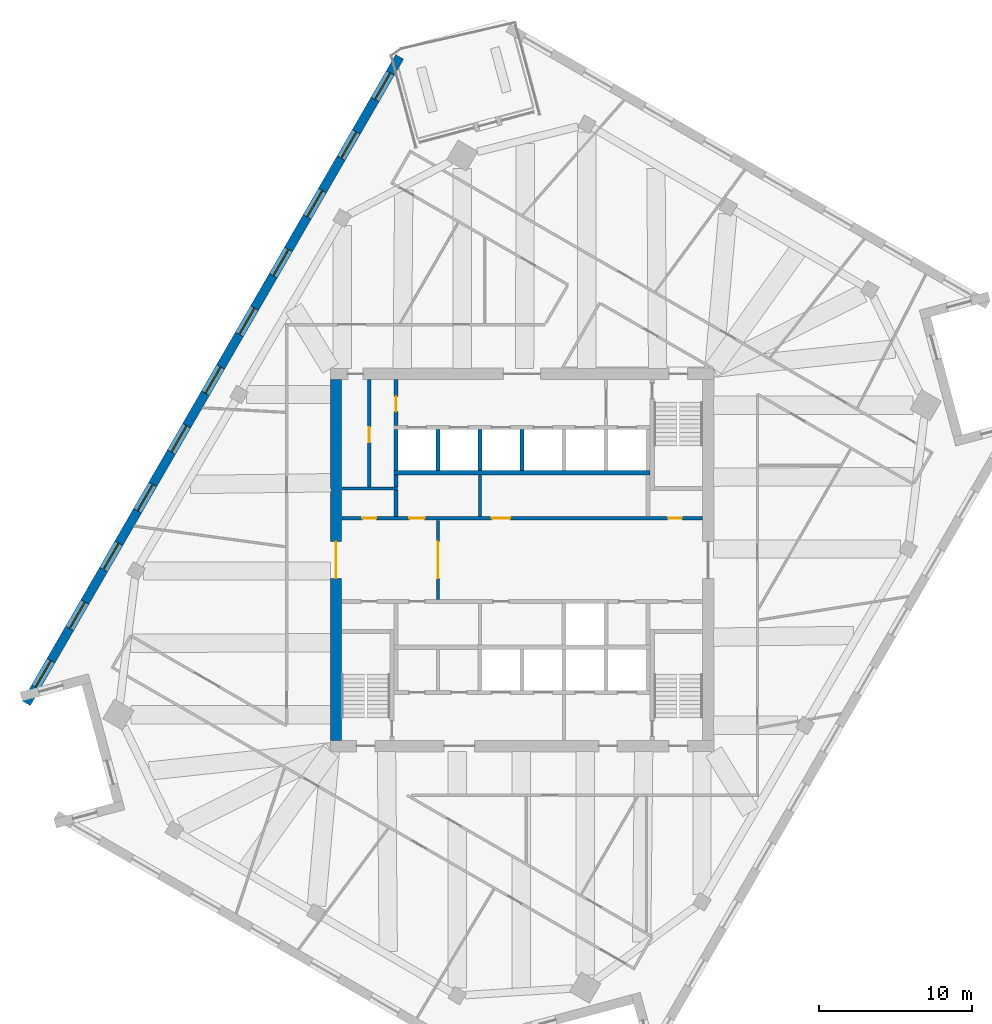
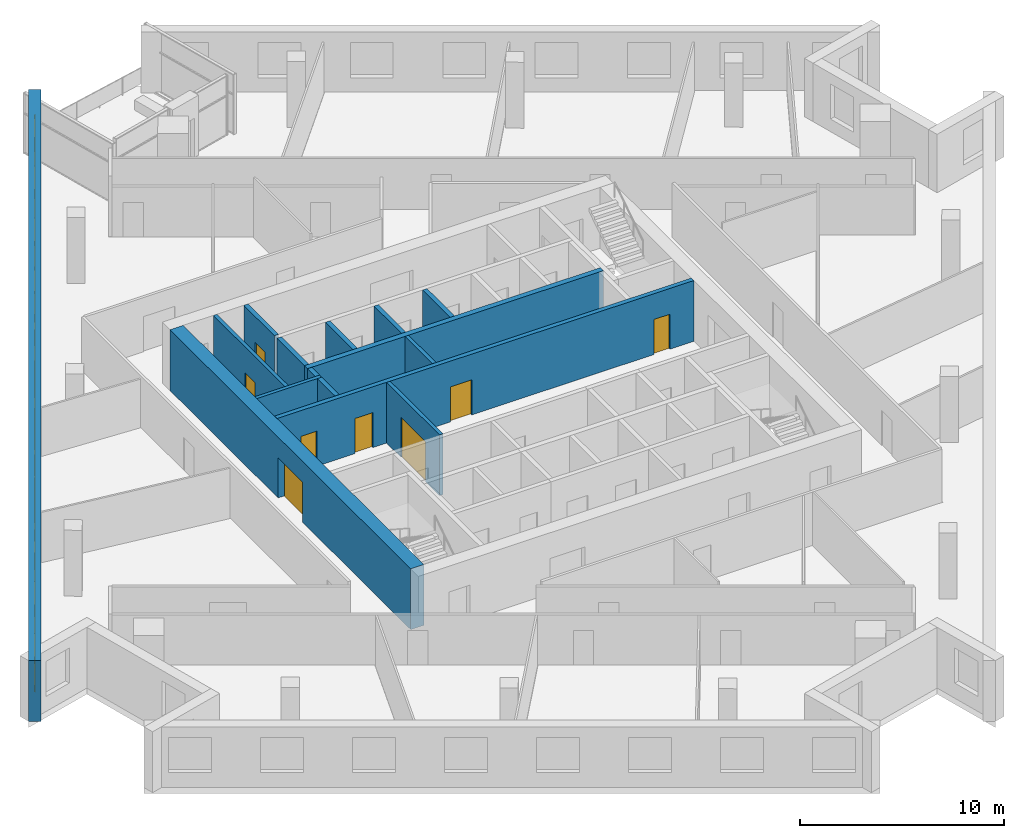
# One storey, part 9 of 13: 15 walls, 11 windows, 8 doors, 19 openings.
"""IFC4 building model written with IfcOpenShell, lengths in metres."""

from ifc_helpers import new_model, si_unit, direction, frame, frame_2d, origin, place, context, subcontext, project, spatial, rectangle, extrude, material, layer, layer_set, type_object, element, fill, save


model = new_model("IFC4")

# Units and contexts
model_context = context("Model", 3, precision=1e-05, world=origin(), true_north=direction((0.0, 1.0)))
body_context = subcontext(model_context, "Body", "Model", "MODEL_VIEW")
ifc_project = project(units=[si_unit("LENGTHUNIT", "METRE"), si_unit("AREAUNIT", "SQUARE_METRE"), si_unit("VOLUMEUNIT", "CUBIC_METRE"), si_unit("PLANEANGLEUNIT", "RADIAN"), si_unit("MASSUNIT", "GRAM", prefix="KILO")], contexts=[model_context])

# Site, building, storey
site_placement = place(None, origin())
site = spatial("IfcSite", under=ifc_project, at=site_placement, CompositionType="ELEMENT")
building_placement = place(site_placement, origin())
building = spatial("IfcBuilding", under=site, at=building_placement, Name="Dilmun Exchange Tower", CompositionType="ELEMENT")
storey_placement = place(building_placement, frame((0.0, 0.0, 262.89990234375)))
storey = spatial("IfcBuildingStorey", under=building, at=storey_placement, Name="L62", CompositionType="ELEMENT", Elevation=262.89990234375)

# Wall, opening, door
ifc_material_1 = material(Name="Concrete C40/50", Category="concrete")
ifc_layer_1 = layer(ifc_material_1, 0.199951171875)
ifc_layer_set_1 = layer_set([ifc_layer_1], Name="Concrete C40/50")
wall_type_1 = type_object("IfcWallType", Name="Core partition wall 200", PredefinedType="PARTITIONING", material=ifc_layer_set_1)
wall_1_placement = place(storey_placement, frame((-5.5, -2.594970703125, 0.0), z_axis=(0.0, 0.0, 1.0), x_axis=(0.0, 1.0, 0.0)))
wall_1 = element("IfcWall", 1, at=wall_1_placement, inside=storey, type_object=wall_type_1, Name="L62 core partition wall 11", PredefinedType="PARTITIONING", context=body_context, shape_type="SweptSolid", body=[
    extrude(rectangle(XDim=5.18994140625, YDim=0.199951171875, at=frame_2d((2.594970703125, 0.0))), origin(), (0.0, 0.0, 1.0), 3.64013671875),
])
opening_1_placement = place(wall_1_placement, frame((1.39501953125, 0.0, 0.0)))
opening_1 = element("IfcOpeningElement", 2, at=opening_1_placement, cuts=wall_1, Name="Opening CD1", PredefinedType="OPENING", context=body_context, shape_type="SweptSolid", body=[
    extrude(rectangle(XDim=2.39990234375, YDim=2.39990234375, at=frame_2d((1.199951171875, 1.199951171875))), frame((0.0, 0.10986328125, 0.0), z_axis=(0.0, -1.0, 0.0), x_axis=(1.0, 0.0, 0.0)), (0.0, 0.0, 1.0), 0.219970703125),
])
ifc_material_2 = material(Name="Fire-rated steel door set", Category="steel")
door_type_1 = type_object("IfcDoorType", Name="Core lobby door 2400x2400", OperationType="DOUBLE_DOOR_DOUBLE_SWING", PredefinedType="DOOR", material=ifc_material_2)
door_1_placement = place(opening_1_placement, origin())
door_1 = element("IfcDoor", 3, at=door_1_placement, inside=storey, type_object=door_type_1, Name="L62 door Lift lobby east", OperationType="SINGLE_SWING_LEFT", OverallHeight=2.39990234375, OverallWidth=2.39990234375, PredefinedType="DOOR", context=body_context, shape_type="SweptSolid", body=[
    extrude(rectangle(XDim=2.39990234375, YDim=2.39990234375, at=frame_2d((1.199951171875, 1.199951171875))), frame((0.0, 0.02490234375, 0.0), z_axis=(0.0, -1.0, 0.0), x_axis=(1.0, 0.0, 0.0)), (0.0, 0.0, 1.0), 0.050048828125),
])
fill(opening_1, door_1)

# Walls
wall_2_placement = place(storey_placement, frame((-2.75, 2.85498046875, 0.0), z_axis=(0.0, 0.0, 1.0), x_axis=(0.0, 1.0, 0.0)))
element("IfcWall", 4, at=wall_2_placement, inside=storey, type_object=wall_type_1, Name="L62 core partition wall 14", PredefinedType="PARTITIONING", context=body_context, shape_type="SweptSolid", body=[
    extrude(rectangle(XDim=2.68994140625, YDim=0.199951171875, at=frame_2d((1.344970703125, 0.0))), origin(), (0.0, 0.0, 1.0), 3.64013671875),
])
wall_3_placement = place(storey_placement, frame((-11.794921875, 4.675048828125, 0.0), z_axis=(0.0, 0.0, 1.0), x_axis=(1.0, 0.0, 0.0)))
element("IfcWall", 5, at=wall_3_placement, inside=storey, type_object=wall_type_1, Name="L62 core partition wall 16", PredefinedType="PARTITIONING", context=body_context, shape_type="SweptSolid", body=[
    extrude(rectangle(XDim=3.64501953125, YDim=0.199951171875, at=frame_2d((1.822509765625, 0.0))), origin(), (0.0, 0.0, 1.0), 3.64013671875),
])

# Wall, opening, door
wall_4_placement = place(storey_placement, frame((-10.0, 4.780029296875, 0.0), z_axis=(0.0, 0.0, 1.0), x_axis=(0.0, 1.0, 0.0)))
wall_4 = element("IfcWall", 6, at=wall_4_placement, inside=storey, type_object=wall_type_1, Name="L62 core partition wall 17", PredefinedType="PARTITIONING", context=body_context, shape_type="SweptSolid", body=[
    extrude(rectangle(XDim=7.014892578125, YDim=0.199951171875, at=frame_2d((3.50732421875, 0.0))), origin(), (0.0, 0.0, 1.0), 3.64013671875),
])
opening_2_placement = place(wall_4_placement, frame((2.919921875, 0.0, 0.0)))
opening_2 = element("IfcOpeningElement", 7, at=opening_2_placement, cuts=wall_4, Name="Opening CD4", PredefinedType="OPENING", context=body_context, shape_type="SweptSolid", body=[
    extrude(rectangle(XDim=1.0, YDim=2.10009765625, at=frame_2d((0.5, 1.050048828125))), frame((0.0, 0.10986328125, 0.0), z_axis=(0.0, -1.0, 0.0), x_axis=(1.0, 0.0, 0.0)), (0.0, 0.0, 1.0), 0.219970703125),
])
door_type_2 = type_object("IfcDoorType", Name="Core room door 1000x2100", OperationType="SINGLE_SWING_LEFT", PredefinedType="DOOR", material=ifc_material_2)
door_2_placement = place(opening_2_placement, origin())
door_2 = element("IfcDoor", 8, at=door_2_placement, inside=storey, type_object=door_type_2, Name="L62 door Comms room", OperationType="SINGLE_SWING_LEFT", OverallHeight=2.10009765625, OverallWidth=1.0, PredefinedType="DOOR", context=body_context, shape_type="SweptSolid", body=[
    extrude(rectangle(XDim=1.0, YDim=2.10009765625, at=frame_2d((0.5, 1.050048828125))), frame((0.0, 0.02490234375, 0.0), z_axis=(0.0, -1.0, 0.0), x_axis=(1.0, 0.0, 0.0)), (0.0, 0.0, 1.0), 0.050048828125),
])
fill(opening_2, door_2)

# Wall, openings, doors
ifc_layer_2 = layer(ifc_material_1, 0.25)
ifc_layer_set_2 = layer_set([ifc_layer_2], Name="Concrete C40/50")
wall_type_2 = type_object("IfcWallType", Name="Core partition wall 250", PredefinedType="PARTITIONING", material=ifc_layer_set_2)
wall_5_placement = place(storey_placement, frame((-11.794921875, 2.72509765625, 0.0), z_axis=(0.0, 0.0, 1.0), x_axis=(1.0, 0.0, 0.0)))
wall_5 = element("IfcWall", 9, at=wall_5_placement, inside=storey, type_object=wall_type_2, Name="L62 core partition wall 12", PredefinedType="PARTITIONING", context=body_context, shape_type="SweptSolid", body=[
    extrude(rectangle(XDim=23.58984375, YDim=0.25, at=frame_2d((11.794921875, 0.0))), origin(), (0.0, 0.0, 1.0), 3.64013671875),
])
opening_3_placement = place(wall_5_placement, frame((21.344970703125, 0.0, 0.0)))
opening_3 = element("IfcOpeningElement", 10, at=opening_3_placement, cuts=wall_5, Name="Opening CD6", PredefinedType="OPENING", context=body_context, shape_type="SweptSolid", body=[
    extrude(rectangle(XDim=0.89990234375, YDim=2.10009765625, at=frame_2d((0.449951171875, 1.050048828125))), frame((0.0, 0.135009765625, 0.0), z_axis=(0.0, -1.0, 0.0), x_axis=(1.0, 0.0, 0.0)), (0.0, 0.0, 1.0), 0.27001953125),
])
opening_4_placement = place(wall_5_placement, frame((1.344970703125, 0.0, 0.0)))
opening_4 = element("IfcOpeningElement", 11, at=opening_4_placement, cuts=wall_5, Name="Opening CD6", PredefinedType="OPENING", context=body_context, shape_type="SweptSolid", body=[
    extrude(rectangle(XDim=0.89990234375, YDim=2.10009765625, at=frame_2d((0.449951171875, 1.050048828125))), frame((0.0, 0.135009765625, 0.0), z_axis=(0.0, -1.0, 0.0), x_axis=(1.0, 0.0, 0.0)), (0.0, 0.0, 1.0), 0.27001953125),
])
opening_5_placement = place(wall_5_placement, frame((4.419921875, 0.0, 0.0)))
opening_5 = element("IfcOpeningElement", 12, at=opening_5_placement, cuts=wall_5, Name="Opening CD4", PredefinedType="OPENING", context=body_context, shape_type="SweptSolid", body=[
    extrude(rectangle(XDim=1.0, YDim=2.10009765625, at=frame_2d((0.5, 1.050048828125))), frame((0.0, 0.135009765625, 0.0), z_axis=(0.0, -1.0, 0.0), x_axis=(1.0, 0.0, 0.0)), (0.0, 0.0, 1.0), 0.27001953125),
])
opening_6_placement = place(wall_5_placement, frame((9.820068359375, 0.0, 0.0)))
opening_6 = element("IfcOpeningElement", 13, at=opening_6_placement, cuts=wall_5, Name="Opening CD3", PredefinedType="OPENING", context=body_context, shape_type="SweptSolid", body=[
    extrude(rectangle(XDim=1.199951171875, YDim=2.10009765625, at=frame_2d((0.60009765625, 1.050048828125))), frame((0.0, 0.135009765625, 0.0), z_axis=(0.0, -1.0, 0.0), x_axis=(1.0, 0.0, 0.0)), (0.0, 0.0, 1.0), 0.27001953125),
])
door_3_placement = place(opening_5_placement, origin())
door_3 = element("IfcDoor", 14, at=door_3_placement, inside=storey, type_object=door_type_2, Name="L62 door Print and mail room", OperationType="SINGLE_SWING_LEFT", OverallHeight=2.10009765625, OverallWidth=1.0, PredefinedType="DOOR", context=body_context, shape_type="SweptSolid", body=[
    extrude(rectangle(XDim=1.0, YDim=2.10009765625, at=frame_2d((0.5, 1.050048828125))), frame((0.0, 0.02490234375, 0.0), z_axis=(0.0, -1.0, 0.0), x_axis=(1.0, 0.0, 0.0)), (0.0, 0.0, 1.0), 0.050048828125),
])
fill(opening_5, door_3)
door_type_3 = type_object("IfcDoorType", Name="Core room door 900x2100", OperationType="SINGLE_SWING_LEFT", PredefinedType="DOOR", material=ifc_material_2)
door_4_placement = place(opening_3_placement, origin())
door_4 = element("IfcDoor", 15, at=door_4_placement, inside=storey, type_object=door_type_3, Name="L62 door Electrical riser", OperationType="SINGLE_SWING_LEFT", OverallHeight=2.10009765625, OverallWidth=0.89990234375, PredefinedType="DOOR", context=body_context, shape_type="SweptSolid", body=[
    extrude(rectangle(XDim=0.89990234375, YDim=2.10009765625, at=frame_2d((0.449951171875, 1.050048828125))), frame((0.0, 0.02490234375, 0.0), z_axis=(0.0, -1.0, 0.0), x_axis=(1.0, 0.0, 0.0)), (0.0, 0.0, 1.0), 0.050048828125),
])
fill(opening_3, door_4)
door_5_placement = place(opening_4_placement, origin())
door_5 = element("IfcDoor", 16, at=door_5_placement, inside=storey, type_object=door_type_3, Name="L62 door Plumbing riser", OperationType="SINGLE_SWING_LEFT", OverallHeight=2.10009765625, OverallWidth=0.89990234375, PredefinedType="DOOR", context=body_context, shape_type="SweptSolid", body=[
    extrude(rectangle(XDim=0.89990234375, YDim=2.10009765625, at=frame_2d((0.449951171875, 1.050048828125))), frame((0.0, 0.02490234375, 0.0), z_axis=(0.0, -1.0, 0.0), x_axis=(1.0, 0.0, 0.0)), (0.0, 0.0, 1.0), 0.050048828125),
])
fill(opening_4, door_5)
door_type_4 = type_object("IfcDoorType", Name="Stair exit door 1200x2100", OperationType="SINGLE_SWING_LEFT", PredefinedType="DOOR", material=ifc_material_2)
door_6_placement = place(opening_6_placement, origin())
door_6 = element("IfcDoor", 17, at=door_6_placement, inside=storey, type_object=door_type_4, Name="L62 door Building management office", OperationType="SINGLE_SWING_LEFT", OverallHeight=2.10009765625, OverallWidth=1.199951171875, PredefinedType="DOOR", context=body_context, shape_type="SweptSolid", body=[
    extrude(rectangle(XDim=1.199951171875, YDim=2.10009765625, at=frame_2d((0.60009765625, 1.050048828125))), frame((0.0, 0.02490234375, 0.0), z_axis=(0.0, -1.0, 0.0), x_axis=(1.0, 0.0, 0.0)), (0.0, 0.0, 1.0), 0.050048828125),
])
fill(opening_6, door_6)

# Walls
wall_6_placement = place(storey_placement, frame((-8.25, 2.85498046875, 0.0), z_axis=(0.0, 0.0, 1.0), x_axis=(0.0, 1.0, 0.0)))
element("IfcWall", 18, at=wall_6_placement, inside=storey, type_object=wall_type_2, Name="L62 core partition wall 13", PredefinedType="PARTITIONING", context=body_context, shape_type="SweptSolid", body=[
    extrude(rectangle(XDim=1.715087890625, YDim=0.25, at=frame_2d((0.857421875, 0.0))), origin(), (0.0, 0.0, 1.0), 3.64013671875),
])
wall_7_placement = place(storey_placement, frame((-8.25, 4.780029296875, 0.0), z_axis=(0.0, 0.0, 1.0), x_axis=(0.0, 1.0, 0.0)))
element("IfcWall", 19, at=wall_7_placement, inside=storey, type_object=wall_type_2, Name="L62 core partition wall 18", PredefinedType="PARTITIONING", context=body_context, shape_type="SweptSolid", body=[
    extrude(rectangle(XDim=0.764892578125, YDim=0.25, at=frame_2d((0.38232421875, 0.0))), origin(), (0.0, 0.0, 1.0), 3.64013671875),
])

# Wall, opening, door
wall_8_placement = place(storey_placement, frame((-8.25, 8.804931640625, 0.0), z_axis=(0.0, 0.0, 1.0), x_axis=(0.0, 1.0, 0.0)))
wall_8 = element("IfcWall", 20, at=wall_8_placement, inside=storey, type_object=wall_type_2, Name="L62 core partition wall 19", PredefinedType="PARTITIONING", context=body_context, shape_type="SweptSolid", body=[
    extrude(rectangle(XDim=2.989990234375, YDim=0.25, at=frame_2d((1.4951171875, 0.0))), origin(), (0.0, 0.0, 1.0), 3.64013671875),
])
opening_7_placement = place(wall_8_placement, frame((0.89501953125, 0.0, 0.0)))
opening_7 = element("IfcOpeningElement", 21, at=opening_7_placement, cuts=wall_8, Name="Opening CD4", PredefinedType="OPENING", context=body_context, shape_type="SweptSolid", body=[
    extrude(rectangle(XDim=1.0, YDim=2.10009765625, at=frame_2d((0.5, 1.050048828125))), frame((0.0, 0.135009765625, 0.0), z_axis=(0.0, -1.0, 0.0), x_axis=(1.0, 0.0, 0.0)), (0.0, 0.0, 1.0), 0.27001953125),
])
door_7_placement = place(opening_7_placement, origin())
door_7 = element("IfcDoor", 22, at=door_7_placement, inside=storey, type_object=door_type_2, Name="L62 door Security room", OperationType="SINGLE_SWING_LEFT", OverallHeight=2.10009765625, OverallWidth=1.0, PredefinedType="DOOR", context=body_context, shape_type="SweptSolid", body=[
    extrude(rectangle(XDim=1.0, YDim=2.10009765625, at=frame_2d((0.5, 1.050048828125))), frame((0.0, 0.02490234375, 0.0), z_axis=(0.0, -1.0, 0.0), x_axis=(1.0, 0.0, 0.0)), (0.0, 0.0, 1.0), 0.050048828125),
])
fill(opening_7, door_7)

ifc_material_3 = material(Name="Concrete C50/60", Category="concrete")
ifc_layer_3 = layer(ifc_material_3, 0.75)
ifc_layer_set_3 = layer_set([ifc_layer_3], Name="Concrete C50/60")
wall_type_3 = type_object("IfcWallType", Name="Core shear wall 750 Concrete C50/60", PredefinedType="SHEAR", material=ifc_layer_set_3)
wall_9_placement = place(storey_placement, frame((-12.175048828125, -11.800048828125, 0.0), z_axis=(0.0, 0.0, 1.0), x_axis=(0.0, 1.0, 0.0)))
wall_9 = element("IfcWall", 23, at=wall_9_placement, inside=storey, type_object=wall_type_3, Name="L62 core shear wall W", PredefinedType="SHEAR", context=body_context, shape_type="SweptSolid", body=[
    extrude(rectangle(XDim=23.60009765625, YDim=0.75, at=frame_2d((11.800048828125, 0.0))), origin(), (0.0, 0.0, 1.0), 3.64013671875),
])
opening_8_placement = place(wall_9_placement, frame((10.60009765625, 0.0, 0.0)))
opening_8 = element("IfcOpeningElement", 24, at=opening_8_placement, cuts=wall_9, Name="Opening CD1", PredefinedType="OPENING", context=body_context, shape_type="SweptSolid", body=[
    extrude(rectangle(XDim=2.39990234375, YDim=2.39990234375, at=frame_2d((1.199951171875, 1.199951171875))), frame((0.0, 0.385009765625, 0.0), z_axis=(0.0, -1.0, 0.0), x_axis=(1.0, 0.0, 0.0)), (0.0, 0.0, 1.0), 0.77001953125),
])
door_8_placement = place(opening_8_placement, origin())
door_8 = element("IfcDoor", 25, at=door_8_placement, inside=storey, type_object=door_type_1, Name="L62 door Central lift lobby", OperationType="SINGLE_SWING_LEFT", OverallHeight=2.39990234375, OverallWidth=2.39990234375, PredefinedType="DOOR", context=body_context, shape_type="SweptSolid", body=[
    extrude(rectangle(XDim=2.39990234375, YDim=2.39990234375, at=frame_2d((1.199951171875, 1.199951171875))), frame((0.0, 0.02490234375, 0.0), z_axis=(0.0, -1.0, 0.0), x_axis=(1.0, 0.0, 0.0)), (0.0, 0.0, 1.0), 0.050048828125),
])
fill(opening_8, door_8)

# Walls
ifc_layer_4 = layer(ifc_material_1, 0.300048828125)
ifc_layer_set_4 = layer_set([ifc_layer_4], Name="Concrete C40/50")
wall_type_4 = type_object("IfcWallType", Name="Lift shaft shared wall 300", PredefinedType="SOLIDWALL", material=ifc_layer_set_4)
wall_10_placement = place(storey_placement, frame((-8.375, 5.699951171875, 0.0), z_axis=(0.0, 0.0, 1.0), x_axis=(1.0, 0.0, 0.0)))
element("IfcWall", 26, at=wall_10_placement, inside=storey, type_object=wall_type_4, Name="L62 lift shaft rear wall N", PredefinedType="SOLIDWALL", context=body_context, shape_type="SweptSolid", body=[
    extrude(rectangle(XDim=16.75, YDim=0.300048828125, at=frame_2d((8.375, 0.0))), origin(), (0.0, 0.0, 1.0), 3.64013671875),
])
ifc_layer_5 = layer(ifc_material_1, 0.25)
ifc_layer_set_5 = layer_set([ifc_layer_5], Name="Concrete C40/50")
wall_type_5 = type_object("IfcWallType", Name="Lift shaft wall 250", PredefinedType="SOLIDWALL", material=ifc_layer_set_5)
for number, where, z_axis, x_axis, name in (
    (27, (-8.25, 5.85009765625, 0.0), (0.0, 0.0, 1.0), (0.0, 1.0, 0.0), "L62 lift shaft divider N20"),
    (28, (-5.5, 5.85009765625, 0.0), (0.0, 0.0, 1.0), (0.0, 1.0, 0.0), "L62 lift shaft divider N21"),
    (29, (-2.75, 5.85009765625, 0.0), (0.0, 0.0, 1.0), (0.0, 1.0, 0.0), "L62 lift shaft divider N22"),
    (30, (0.0, 5.85009765625, 0.0), (0.0, 0.0, 1.0), (0.0, 1.0, 0.0), "L62 lift shaft divider N23"),
):
    element("IfcWall", number, at=place(storey_placement, frame(where, z_axis=z_axis, x_axis=x_axis)), inside=storey, type_object=wall_type_5, Name=name, PredefinedType="SOLIDWALL", context=body_context, shape_type="SweptSolid", body=[
        extrude(rectangle(XDim=2.699951171875, YDim=0.25, at=frame_2d((1.35009765625, 0.0))), origin(), (0.0, 0.0, 1.0), 3.64013671875),
    ])

# Wall, openings, windows
ifc_material_4 = material(Name="Precast concrete C50/60", Category="concrete")
ifc_layer_6 = layer(ifc_material_4, 0.60009765625)
ifc_layer_set_6 = layer_set([ifc_layer_6], Name="Precast concrete C50/60")
wall_type_6 = type_object("IfcWallType", Name="Precast stone-clad wall 600", PredefinedType="STANDARD", material=ifc_layer_set_6)
wall_11_placement = place(storey_placement, frame((-8.014892578125, 32.91748046875, 0.0), z_axis=(0.0, 0.0, 1.0), x_axis=(-0.500001675963, -0.866024436165, 0.0)))
wall_11 = element("IfcWall", 31, at=wall_11_placement, inside=storey, type_object=wall_type_6, Name="Facade wall L62-03", PredefinedType="STANDARD", context=body_context, shape_type="SweptSolid", body=[
    extrude(rectangle(XDim=48.843017578125, YDim=0.60009765625, at=frame_2d((24.42138671875, 0.0))), origin(), (0.0, 0.0, 1.0), 3.64013671875),
])
opening_9_placement = place(wall_11_placement, frame((1.22021484375, 0.0, 0.89990234375)))
opening_9 = element("IfcOpeningElement", 32, at=opening_9_placement, cuts=wall_11, Name="Opening W200-210", PredefinedType="OPENING", context=body_context, shape_type="SweptSolid", body=[
    extrude(rectangle(XDim=2.0, YDim=2.10009765625, at=frame_2d((1.0, 1.050048828125))), frame((0.0, 0.31005859375, 0.0), z_axis=(0.0, -1.0, 0.0), x_axis=(1.0, 0.0, 0.0)), (0.0, 0.0, 1.0), 0.6201171875),
])
opening_10_placement = place(wall_11_placement, frame((5.660400390625, 0.0, 0.89990234375)))
opening_10 = element("IfcOpeningElement", 33, at=opening_10_placement, cuts=wall_11, Name="Opening W200-210", PredefinedType="OPENING", context=body_context, shape_type="SweptSolid", body=[
    extrude(rectangle(XDim=2.0, YDim=2.10009765625, at=frame_2d((1.0, 1.050048828125))), frame((0.0, 0.31005859375, 0.0), z_axis=(0.0, -1.0, 0.0), x_axis=(1.0, 0.0, 0.0)), (0.0, 0.0, 1.0), 0.6201171875),
])
opening_11_placement = place(wall_11_placement, frame((10.1005859375, 0.0, 0.89990234375)))
opening_11 = element("IfcOpeningElement", 34, at=opening_11_placement, cuts=wall_11, Name="Opening W200-210", PredefinedType="OPENING", context=body_context, shape_type="SweptSolid", body=[
    extrude(rectangle(XDim=2.0, YDim=2.10009765625, at=frame_2d((1.0, 1.050048828125))), frame((0.0, 0.31005859375, 0.0), z_axis=(0.0, -1.0, 0.0), x_axis=(1.0, 0.0, 0.0)), (0.0, 0.0, 1.0), 0.6201171875),
])
opening_12_placement = place(wall_11_placement, frame((14.541015625, 0.0, 0.89990234375)))
opening_12 = element("IfcOpeningElement", 35, at=opening_12_placement, cuts=wall_11, Name="Opening W200-210", PredefinedType="OPENING", context=body_context, shape_type="SweptSolid", body=[
    extrude(rectangle(XDim=2.0, YDim=2.10009765625, at=frame_2d((1.0, 1.050048828125))), frame((0.0, 0.31005859375, 0.0), z_axis=(0.0, -1.0, 0.0), x_axis=(1.0, 0.0, 0.0)), (0.0, 0.0, 1.0), 0.6201171875),
])
opening_13_placement = place(wall_11_placement, frame((18.981201171875, 0.0, 0.89990234375)))
opening_13 = element("IfcOpeningElement", 36, at=opening_13_placement, cuts=wall_11, Name="Opening W200-210", PredefinedType="OPENING", context=body_context, shape_type="SweptSolid", body=[
    extrude(rectangle(XDim=2.0, YDim=2.10009765625, at=frame_2d((1.0, 1.050048828125))), frame((0.0, 0.31005859375, 0.0), z_axis=(0.0, -1.0, 0.0), x_axis=(1.0, 0.0, 0.0)), (0.0, 0.0, 1.0), 0.6201171875),
])
opening_14_placement = place(wall_11_placement, frame((23.421630859375, 0.0, 0.89990234375)))
opening_14 = element("IfcOpeningElement", 37, at=opening_14_placement, cuts=wall_11, Name="Opening W200-210", PredefinedType="OPENING", context=body_context, shape_type="SweptSolid", body=[
    extrude(rectangle(XDim=2.0, YDim=2.10009765625, at=frame_2d((1.0, 1.050048828125))), frame((0.0, 0.31005859375, 0.0), z_axis=(0.0, -1.0, 0.0), x_axis=(1.0, 0.0, 0.0)), (0.0, 0.0, 1.0), 0.6201171875),
])
opening_15_placement = place(wall_11_placement, frame((27.86181640625, 0.0, 0.89990234375)))
opening_15 = element("IfcOpeningElement", 38, at=opening_15_placement, cuts=wall_11, Name="Opening W200-210", PredefinedType="OPENING", context=body_context, shape_type="SweptSolid", body=[
    extrude(rectangle(XDim=2.0, YDim=2.10009765625, at=frame_2d((1.0, 1.050048828125))), frame((0.0, 0.31005859375, 0.0), z_axis=(0.0, -1.0, 0.0), x_axis=(1.0, 0.0, 0.0)), (0.0, 0.0, 1.0), 0.6201171875),
])
opening_16_placement = place(wall_11_placement, frame((32.302001953125, 0.0, 0.89990234375)))
opening_16 = element("IfcOpeningElement", 39, at=opening_16_placement, cuts=wall_11, Name="Opening W200-210", PredefinedType="OPENING", context=body_context, shape_type="SweptSolid", body=[
    extrude(rectangle(XDim=2.0, YDim=2.10009765625, at=frame_2d((1.0, 1.050048828125))), frame((0.0, 0.31005859375, 0.0), z_axis=(0.0, -1.0, 0.0), x_axis=(1.0, 0.0, 0.0)), (0.0, 0.0, 1.0), 0.6201171875),
])
opening_17_placement = place(wall_11_placement, frame((36.742431640625, 0.0, 0.89990234375)))
opening_17 = element("IfcOpeningElement", 40, at=opening_17_placement, cuts=wall_11, Name="Opening W200-210", PredefinedType="OPENING", context=body_context, shape_type="SweptSolid", body=[
    extrude(rectangle(XDim=2.0, YDim=2.10009765625, at=frame_2d((1.0, 1.050048828125))), frame((0.0, 0.31005859375, 0.0), z_axis=(0.0, -1.0, 0.0), x_axis=(1.0, 0.0, 0.0)), (0.0, 0.0, 1.0), 0.6201171875),
])
opening_18_placement = place(wall_11_placement, frame((41.1826171875, 0.0, 0.89990234375)))
opening_18 = element("IfcOpeningElement", 41, at=opening_18_placement, cuts=wall_11, Name="Opening W200-210", PredefinedType="OPENING", context=body_context, shape_type="SweptSolid", body=[
    extrude(rectangle(XDim=2.0, YDim=2.10009765625, at=frame_2d((1.0, 1.050048828125))), frame((0.0, 0.31005859375, 0.0), z_axis=(0.0, -1.0, 0.0), x_axis=(1.0, 0.0, 0.0)), (0.0, 0.0, 1.0), 0.6201171875),
])
opening_19_placement = place(wall_11_placement, frame((45.623046875, 0.0, 0.89990234375)))
opening_19 = element("IfcOpeningElement", 42, at=opening_19_placement, cuts=wall_11, Name="Opening W200-210", PredefinedType="OPENING", context=body_context, shape_type="SweptSolid", body=[
    extrude(rectangle(XDim=2.0, YDim=2.10009765625, at=frame_2d((1.0, 1.050048828125))), frame((0.0, 0.31005859375, 0.0), z_axis=(0.0, -1.0, 0.0), x_axis=(1.0, 0.0, 0.0)), (0.0, 0.0, 1.0), 0.6201171875),
])
ifc_material_5 = material(Name="Clear low-emissivity glass in aluminium frame", Category="aluminium")
window_type = type_object("IfcWindowType", Name="Punched window 2000 x 2100", PartitioningType="DOUBLE_PANEL_VERTICAL", PredefinedType="WINDOW", material=ifc_material_5)
window_1_placement = place(opening_9_placement, origin())
window_1 = element("IfcWindow", 43, at=window_1_placement, inside=storey, type_object=window_type, Name="Window 4.1", OverallHeight=2.10009765625, OverallWidth=2.0, PartitioningType="SINGLE_PANEL", PredefinedType="WINDOW", context=body_context, shape_type="SweptSolid", body=[
    extrude(rectangle(XDim=2.0, YDim=2.10009765625, at=frame_2d((1.0, 1.050048828125))), frame((0.0, 0.030029296875, 0.0), z_axis=(0.0, -1.0, 0.0), x_axis=(1.0, 0.0, 0.0)), (0.0, 0.0, 1.0), 0.06005859375),
])
fill(opening_9, window_1)
window_2_placement = place(opening_10_placement, origin())
window_2 = element("IfcWindow", 44, at=window_2_placement, inside=storey, type_object=window_type, Name="Window 4.2", OverallHeight=2.10009765625, OverallWidth=2.0, PartitioningType="SINGLE_PANEL", PredefinedType="WINDOW", context=body_context, shape_type="SweptSolid", body=[
    extrude(rectangle(XDim=2.0, YDim=2.10009765625, at=frame_2d((1.0, 1.050048828125))), frame((0.0, 0.030029296875, 0.0), z_axis=(0.0, -1.0, 0.0), x_axis=(1.0, 0.0, 0.0)), (0.0, 0.0, 1.0), 0.06005859375),
])
fill(opening_10, window_2)
window_3_placement = place(opening_11_placement, origin())
window_3 = element("IfcWindow", 45, at=window_3_placement, inside=storey, type_object=window_type, Name="Window 4.3", OverallHeight=2.10009765625, OverallWidth=2.0, PartitioningType="SINGLE_PANEL", PredefinedType="WINDOW", context=body_context, shape_type="SweptSolid", body=[
    extrude(rectangle(XDim=2.0, YDim=2.10009765625, at=frame_2d((1.0, 1.050048828125))), frame((0.0, 0.030029296875, 0.0), z_axis=(0.0, -1.0, 0.0), x_axis=(1.0, 0.0, 0.0)), (0.0, 0.0, 1.0), 0.06005859375),
])
fill(opening_11, window_3)
window_4_placement = place(opening_12_placement, origin())
window_4 = element("IfcWindow", 46, at=window_4_placement, inside=storey, type_object=window_type, Name="Window 4.4", OverallHeight=2.10009765625, OverallWidth=2.0, PartitioningType="SINGLE_PANEL", PredefinedType="WINDOW", context=body_context, shape_type="SweptSolid", body=[
    extrude(rectangle(XDim=2.0, YDim=2.10009765625, at=frame_2d((1.0, 1.050048828125))), frame((0.0, 0.030029296875, 0.0), z_axis=(0.0, -1.0, 0.0), x_axis=(1.0, 0.0, 0.0)), (0.0, 0.0, 1.0), 0.06005859375),
])
fill(opening_12, window_4)
window_5_placement = place(opening_13_placement, origin())
window_5 = element("IfcWindow", 47, at=window_5_placement, inside=storey, type_object=window_type, Name="Window 4.5", OverallHeight=2.10009765625, OverallWidth=2.0, PartitioningType="SINGLE_PANEL", PredefinedType="WINDOW", context=body_context, shape_type="SweptSolid", body=[
    extrude(rectangle(XDim=2.0, YDim=2.10009765625, at=frame_2d((1.0, 1.050048828125))), frame((0.0, 0.030029296875, 0.0), z_axis=(0.0, -1.0, 0.0), x_axis=(1.0, 0.0, 0.0)), (0.0, 0.0, 1.0), 0.06005859375),
])
fill(opening_13, window_5)
window_6_placement = place(opening_14_placement, origin())
window_6 = element("IfcWindow", 48, at=window_6_placement, inside=storey, type_object=window_type, Name="Window 4.6", OverallHeight=2.10009765625, OverallWidth=2.0, PartitioningType="SINGLE_PANEL", PredefinedType="WINDOW", context=body_context, shape_type="SweptSolid", body=[
    extrude(rectangle(XDim=2.0, YDim=2.10009765625, at=frame_2d((1.0, 1.050048828125))), frame((0.0, 0.030029296875, 0.0), z_axis=(0.0, -1.0, 0.0), x_axis=(1.0, 0.0, 0.0)), (0.0, 0.0, 1.0), 0.06005859375),
])
fill(opening_14, window_6)
window_7_placement = place(opening_15_placement, origin())
window_7 = element("IfcWindow", 49, at=window_7_placement, inside=storey, type_object=window_type, Name="Window 4.7", OverallHeight=2.10009765625, OverallWidth=2.0, PartitioningType="SINGLE_PANEL", PredefinedType="WINDOW", context=body_context, shape_type="SweptSolid", body=[
    extrude(rectangle(XDim=2.0, YDim=2.10009765625, at=frame_2d((1.0, 1.050048828125))), frame((0.0, 0.030029296875, 0.0), z_axis=(0.0, -1.0, 0.0), x_axis=(1.0, 0.0, 0.0)), (0.0, 0.0, 1.0), 0.06005859375),
])
fill(opening_15, window_7)
window_8_placement = place(opening_16_placement, origin())
window_8 = element("IfcWindow", 50, at=window_8_placement, inside=storey, type_object=window_type, Name="Window 4.8", OverallHeight=2.10009765625, OverallWidth=2.0, PartitioningType="SINGLE_PANEL", PredefinedType="WINDOW", context=body_context, shape_type="SweptSolid", body=[
    extrude(rectangle(XDim=2.0, YDim=2.10009765625, at=frame_2d((1.0, 1.050048828125))), frame((0.0, 0.030029296875, 0.0), z_axis=(0.0, -1.0, 0.0), x_axis=(1.0, 0.0, 0.0)), (0.0, 0.0, 1.0), 0.06005859375),
])
fill(opening_16, window_8)
window_9_placement = place(opening_17_placement, origin())
window_9 = element("IfcWindow", 51, at=window_9_placement, inside=storey, type_object=window_type, Name="Window 4.9", OverallHeight=2.10009765625, OverallWidth=2.0, PartitioningType="SINGLE_PANEL", PredefinedType="WINDOW", context=body_context, shape_type="SweptSolid", body=[
    extrude(rectangle(XDim=2.0, YDim=2.10009765625, at=frame_2d((1.0, 1.050048828125))), frame((0.0, 0.030029296875, 0.0), z_axis=(0.0, -1.0, 0.0), x_axis=(1.0, 0.0, 0.0)), (0.0, 0.0, 1.0), 0.06005859375),
])
fill(opening_17, window_9)
window_10_placement = place(opening_18_placement, origin())
window_10 = element("IfcWindow", 52, at=window_10_placement, inside=storey, type_object=window_type, Name="Window 4.10", OverallHeight=2.10009765625, OverallWidth=2.0, PartitioningType="SINGLE_PANEL", PredefinedType="WINDOW", context=body_context, shape_type="SweptSolid", body=[
    extrude(rectangle(XDim=2.0, YDim=2.10009765625, at=frame_2d((1.0, 1.050048828125))), frame((0.0, 0.030029296875, 0.0), z_axis=(0.0, -1.0, 0.0), x_axis=(1.0, 0.0, 0.0)), (0.0, 0.0, 1.0), 0.06005859375),
])
fill(opening_18, window_10)
window_11_placement = place(opening_19_placement, origin())
window_11 = element("IfcWindow", 53, at=window_11_placement, inside=storey, type_object=window_type, Name="Window 4.11", OverallHeight=2.10009765625, OverallWidth=2.0, PartitioningType="SINGLE_PANEL", PredefinedType="WINDOW", context=body_context, shape_type="SweptSolid", body=[
    extrude(rectangle(XDim=2.0, YDim=2.10009765625, at=frame_2d((1.0, 1.050048828125))), frame((0.0, 0.030029296875, 0.0), z_axis=(0.0, -1.0, 0.0), x_axis=(1.0, 0.0, 0.0)), (0.0, 0.0, 1.0), 0.06005859375),
])
fill(opening_19, window_11)

save(model, "model.ifc")
